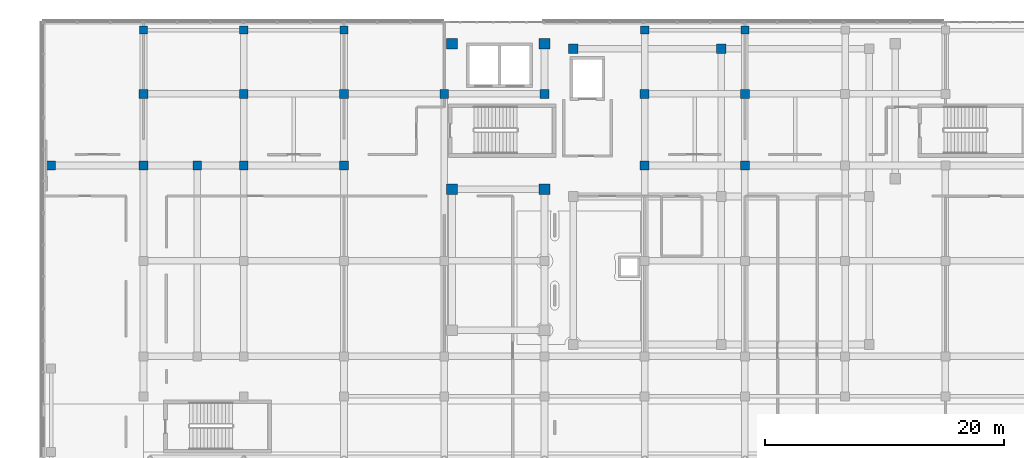
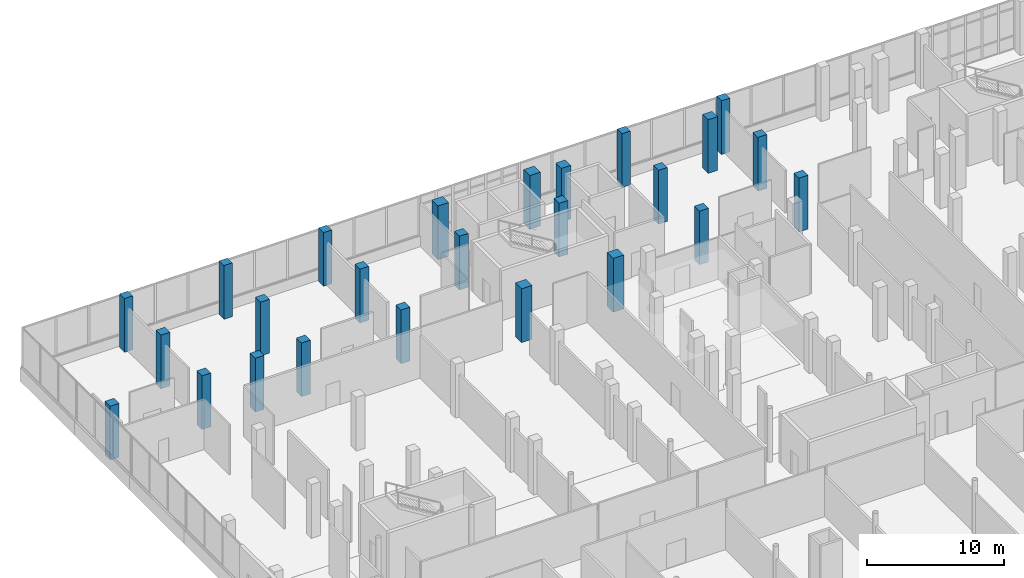
# One storey, part 9 of 155: 25 columns.
"""IFC4 building model written with IfcOpenShell, lengths in metres."""

from ifc_helpers import new_model, si_unit, direction, frame, origin, origin_2d, place, context, subcontext, project, spatial, rectangle, extrude, material, material_profile, profile_set, type_object, element, save


model = new_model("IFC4")

# Units and contexts
model_context = context("Model", 3, precision=1e-05, world=origin(), true_north=direction((0.0, 1.0)))
body_context = subcontext(model_context, "Body", "Model", "MODEL_VIEW")
ifc_project = project(units=[si_unit("LENGTHUNIT", "METRE"), si_unit("AREAUNIT", "SQUARE_METRE"), si_unit("VOLUMEUNIT", "CUBIC_METRE"), si_unit("PLANEANGLEUNIT", "RADIAN"), si_unit("MASSUNIT", "GRAM", prefix="KILO")], contexts=[model_context])

# Site, building, storey
site_placement = place(None, origin())
site = spatial("IfcSite", under=ifc_project, at=site_placement, CompositionType="ELEMENT")
building_placement = place(site_placement, origin())
building = spatial("IfcBuilding", under=site, at=building_placement, Name="Selatvlak General Hospital", CompositionType="ELEMENT")
storey_placement = place(building_placement, frame((0.0, 0.0, 10.199951171875)))
storey = spatial("IfcBuildingStorey", under=building, at=storey_placement, Name="L02", CompositionType="ELEMENT", Elevation=10.199951171875)

# Columns
ifc_material_1 = material(Name="Concrete C40/50", Category="concrete")
ifc_material_profile_1 = material_profile(ifc_material_1, rectangle(XDim=0.699951171875, YDim=0.699951171875, at=origin_2d()), Name="RC-COL 700x700")
ifc_profile_set_1 = profile_set([ifc_material_profile_1], Name="Concrete C40/50")
column_type_1 = type_object("IfcColumnType", Name="COL-RC70", PredefinedType="COLUMN", material=ifc_profile_set_1)
for number, where, z_axis, x_axis, name in (
    (1, (22.800048828125, 119.35009765625, 0.0), (0.0, 0.0, 1.0), (1.0, 0.0, 0.0), "Column 163 on L02"),
    (2, (31.199951171875, 119.35009765625, 0.0), (0.0, 0.0, 1.0), (1.0, 0.0, 0.0), "Column 169 on L02"),
    (3, (39.60009765625, 119.35009765625, 0.0), (0.0, 0.0, 1.0), (1.0, 0.0, 0.0), "Column 175 on L02"),
    (4, (64.800048828125, 119.35009765625, 0.0), (0.0, 0.0, 1.0), (1.0, 0.0, 0.0), "Column 191 on L02"),
    (5, (73.199951171875, 119.35009765625, 0.0), (0.0, 0.0, 1.0), (1.0, 0.0, 0.0), "Column 197 on L02"),
):
    element("IfcColumn", number, at=place(storey_placement, frame(where, z_axis=z_axis, x_axis=x_axis)), inside=storey, type_object=column_type_1, Name=name, PredefinedType="COLUMN", context=body_context, shape_type="SweptSolid", body=[
        extrude(rectangle(XDim=0.699951171875, YDim=0.699951171875, at=origin_2d()), origin(), (0.0, 0.0, 1.0), 4.800048828125),
    ])
ifc_material_2 = material(Name="Concrete C50/60", Category="concrete")
ifc_material_profile_2 = material_profile(ifc_material_2, rectangle(XDim=0.75, YDim=0.75, at=origin_2d()), Name="RC-COL 750x750")
ifc_profile_set_2 = profile_set([ifc_material_profile_2], Name="Concrete C50/60")
column_type_2 = type_object("IfcColumnType", Name="COL-RC75", PredefinedType="COLUMN", material=ifc_profile_set_2)
for number, where, z_axis, x_axis, name in (
    (6, (27.300048828125, 108.0, 0.0), (0.0, 0.0, 1.0), (1.0, 0.0, 0.0), "Column 112 on L02"),
    (7, (15.050048828125, 108.0, 0.0), (0.0, 0.0, 1.0), (1.0, 0.0, 0.0), "Column 156 on L02"),
    (8, (22.800048828125, 108.0, 0.0), (0.0, 0.0, 1.0), (1.0, 0.0, 0.0), "Column 161 on L02"),
    (9, (22.800048828125, 114.0, 0.0), (0.0, 0.0, 1.0), (1.0, 0.0, 0.0), "Column 162 on L02"),
    (10, (31.199951171875, 108.0, 0.0), (0.0, 0.0, 1.0), (1.0, 0.0, 0.0), "Column 167 on L02"),
    (11, (31.199951171875, 114.0, 0.0), (0.0, 0.0, 1.0), (1.0, 0.0, 0.0), "Column 168 on L02"),
    (12, (39.60009765625, 108.0, 0.0), (0.0, 0.0, 1.0), (1.0, 0.0, 0.0), "Column 173 on L02"),
    (13, (39.60009765625, 114.0, 0.0), (0.0, 0.0, 1.0), (1.0, 0.0, 0.0), "Column 174 on L02"),
    (14, (48.0, 114.0, 0.0), (0.0, 0.0, 1.0), (1.0, 0.0, 0.0), "Column 180 on L02"),
    (15, (56.39990234375, 114.0, 0.0), (0.0, 0.0, 1.0), (1.0, 0.0, 0.0), "Column 184 on L02"),
    (16, (64.800048828125, 108.0, 0.0), (0.0, 0.0, 1.0), (1.0, 0.0, 0.0), "Column 189 on L02"),
    (17, (64.800048828125, 114.0, 0.0), (0.0, 0.0, 1.0), (1.0, 0.0, 0.0), "Column 190 on L02"),
    (18, (73.199951171875, 108.0, 0.0), (0.0, 0.0, 1.0), (1.0, 0.0, 0.0), "Column 195 on L02"),
    (19, (73.199951171875, 114.0, 0.0), (0.0, 0.0, 1.0), (1.0, 0.0, 0.0), "Column 196 on L02"),
):
    element("IfcColumn", number, at=place(storey_placement, frame(where, z_axis=z_axis, x_axis=x_axis)), inside=storey, type_object=column_type_2, Name=name, PredefinedType="COLUMN", context=body_context, shape_type="SweptSolid", body=[
        extrude(rectangle(XDim=0.75, YDim=0.75, at=origin_2d()), origin(), (0.0, 0.0, 1.0), 4.800048828125),
    ])
ifc_material_profile_3 = material_profile(ifc_material_2, rectangle(XDim=0.800048828125, YDim=0.800048828125, at=origin_2d()), Name="RC-COL 800x800")
ifc_profile_set_3 = profile_set([ifc_material_profile_3], Name="Concrete C50/60")
column_type_3 = type_object("IfcColumnType", Name="COL-RC80", PredefinedType="COLUMN", material=ifc_profile_set_3)
for number, where, z_axis, x_axis, name in (
    (20, (58.800048828125, 117.800048828125, 0.0), (0.0, 0.0, 1.0), (1.0, 0.0, 0.0), "Column 039 on L02"),
    (21, (71.199951171875, 117.800048828125, 0.0), (0.0, 0.0, 1.0), (1.0, 0.0, 0.0), "Column 042 on L02"),
):
    element("IfcColumn", number, at=place(storey_placement, frame(where, z_axis=z_axis, x_axis=x_axis)), inside=storey, type_object=column_type_3, Name=name, PredefinedType="COLUMN", context=body_context, shape_type="SweptSolid", body=[
        extrude(rectangle(XDim=0.800048828125, YDim=0.800048828125, at=origin_2d()), origin(), (0.0, 0.0, 1.0), 4.800048828125),
    ])
ifc_material_profile_4 = material_profile(ifc_material_2, rectangle(XDim=0.89990234375, YDim=0.89990234375, at=origin_2d()), Name="RC-COL 900x900")
ifc_profile_set_4 = profile_set([ifc_material_profile_4], Name="Concrete C50/60")
column_type_4 = type_object("IfcColumnType", Name="COL-RC90", PredefinedType="COLUMN", material=ifc_profile_set_4)
for number, where, z_axis, x_axis, name in (
    (22, (48.64990234375, 106.0, 0.0), (0.0, 0.0, 1.0), (1.0, 0.0, 0.0), "Column 048 on L02"),
    (23, (56.39990234375, 106.0, 0.0), (0.0, 0.0, 1.0), (1.0, 0.0, 0.0), "Column 049 on L02"),
    (24, (48.64990234375, 118.199951171875, 0.0), (0.0, 0.0, 1.0), (1.0, 0.0, 0.0), "Column 050 on L02"),
    (25, (56.39990234375, 118.199951171875, 0.0), (0.0, 0.0, 1.0), (1.0, 0.0, 0.0), "Column 051 on L02"),
):
    element("IfcColumn", number, at=place(storey_placement, frame(where, z_axis=z_axis, x_axis=x_axis)), inside=storey, type_object=column_type_4, Name=name, PredefinedType="COLUMN", context=body_context, shape_type="SweptSolid", body=[
        extrude(rectangle(XDim=0.89990234375, YDim=0.89990234375, at=origin_2d()), origin(), (0.0, 0.0, 1.0), 4.800048828125),
    ])

save(model, "model.ifc")
